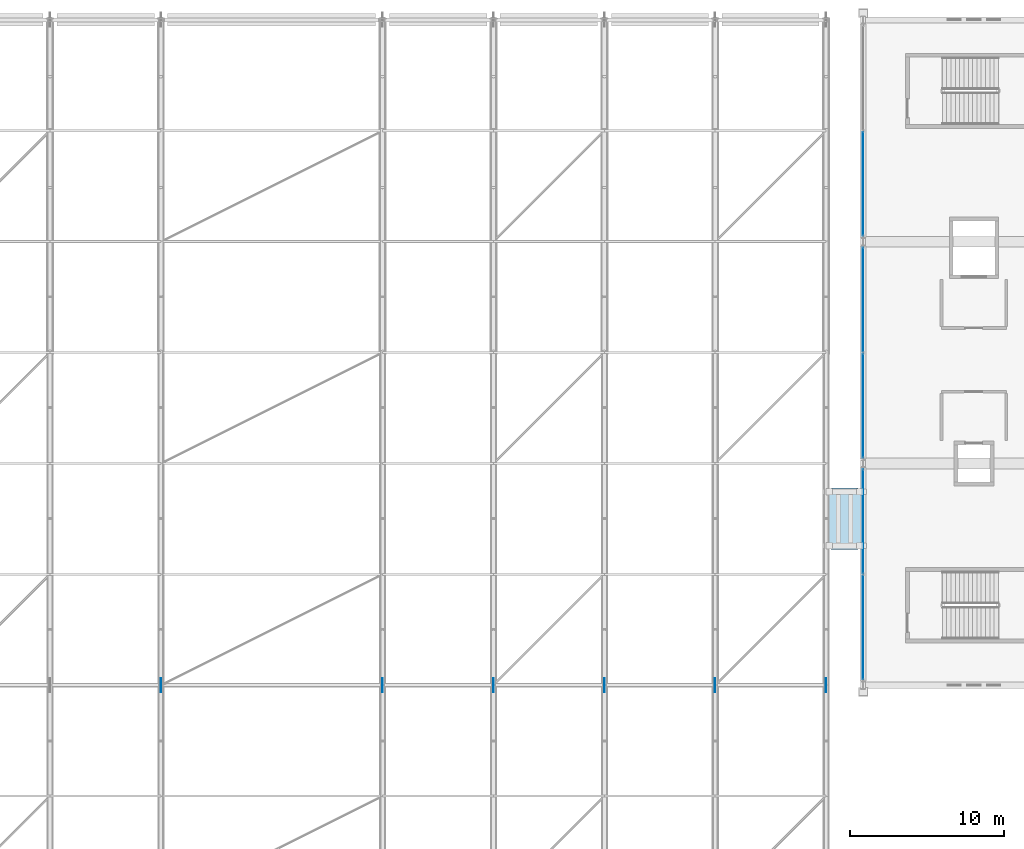
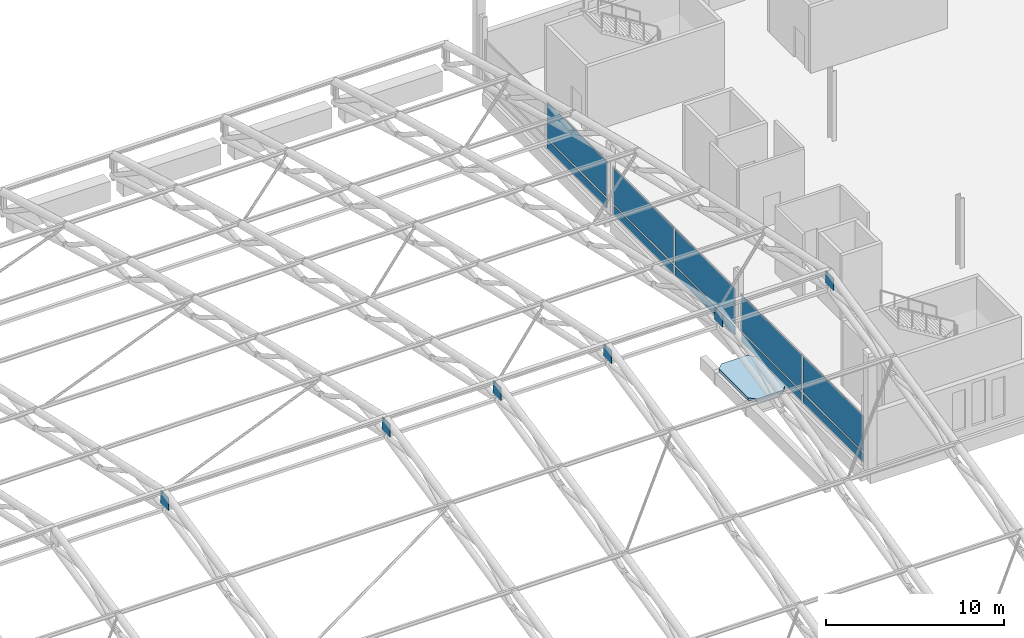
# One storey, part 116 of 193: 16 plates, 1 slab, 3 elements without a shape of their own.
"""IFC4 building model written with IfcOpenShell, lengths in metres."""

from ifc_helpers import new_model, si_unit, direction, frame, origin, origin_2d, place, context, subcontext, project, spatial, polyline, rectangle, outline, extrude, material, layer, layer_set, type_object, element, aggregate, save


model = new_model("IFC4")

# Units and contexts
model_context = context("Model", 3, precision=1e-05, world=origin(), true_north=direction((0.0, 1.0)))
body_context = subcontext(model_context, "Body", "Model", "MODEL_VIEW")
ifc_project = project(units=[si_unit("LENGTHUNIT", "METRE"), si_unit("AREAUNIT", "SQUARE_METRE"), si_unit("VOLUMEUNIT", "CUBIC_METRE"), si_unit("PLANEANGLEUNIT", "RADIAN"), si_unit("MASSUNIT", "GRAM", prefix="KILO")], contexts=[model_context])

# Site, building, storey
site_placement = place(None, origin())
site = spatial("IfcSite", under=ifc_project, at=site_placement, CompositionType="ELEMENT")
building_placement = place(site_placement, origin())
building = spatial("IfcBuilding", under=site, at=building_placement, Name="Cendralis Lancet Convention Centre", CompositionType="ELEMENT")
storey_placement = place(building_placement, frame((0.0, 0.0, 10.199951171875)))
storey = spatial("IfcBuildingStorey", under=building, at=storey_placement, Name="L02", CompositionType="ELEMENT", Elevation=10.199951171875)

# Curtain wall, plates
ifc_material_1 = material(Name="Anodised bronze architectural aluminium", Category="aluminium")
curtain_wall_type = type_object("IfcCurtainWallType", Name="ARC-CW-BL01", PredefinedType="USERDEFINED", material=ifc_material_1)
curtain_wall_1_placement = place(storey_placement, origin())
curtain_wall_1 = element("IfcCurtainWall", 1, at=curtain_wall_1_placement, inside=storey, type_object=curtain_wall_type, Name="L02 Curtain Wall CW-BL1 #157", ObjectType="CURTAIN WALL", PredefinedType="USERDEFINED")
ifc_material_2 = material(Name="Double-glazed low-E solar-control glass", Category="glass")
ifc_layer_1 = layer(ifc_material_2, 0.035888671875, Name="Double-glazed low-E solar-control glass")
ifc_layer_set_1 = layer_set([ifc_layer_1], Name="Double-glazed low-E solar-control glass")
plate_type_1 = type_object("IfcPlateType", Name="ARC-PL-GL03", PredefinedType="CURTAIN_PANEL", material=ifc_layer_set_1)
plate_1_placement = place(storey_placement, frame((124.800048828125, 97.35009765625, 0.801513671875), z_axis=(0.0, 0.0, 1.0), x_axis=(0.0, 1.0, 0.0)))
plate_1 = element("IfcPlate", 2, at=plate_1_placement, type_object=plate_type_1, Name="Vision Glass Panel CW2-CW-BL1-L02-157-PG0", PredefinedType="CURTAIN_PANEL", context=body_context, shape_type="SweptSolid", body=[
    extrude(rectangle(XDim=6.739990234375, YDim=0.035888671875, at=origin_2d()), origin(), (0.0, 0.0, 1.0), 2.45361328125),
])
plate_2_placement = place(storey_placement, frame((124.800048828125, 104.25, 0.801513671875), z_axis=(0.0, 0.0, 1.0), x_axis=(0.0, 1.0, 0.0)))
plate_2 = element("IfcPlate", 3, at=plate_2_placement, type_object=plate_type_1, Name="Vision Glass Panel CW2-CW-BL1-L02-157-PG1", PredefinedType="CURTAIN_PANEL", context=body_context, shape_type="SweptSolid", body=[
    extrude(rectangle(XDim=6.739990234375, YDim=0.035888671875, at=origin_2d()), origin(), (0.0, 0.0, 1.0), 2.45361328125),
])

curtain_wall_2_placement = place(storey_placement, origin())
curtain_wall_2 = element("IfcCurtainWall", 4, at=curtain_wall_2_placement, inside=storey, type_object=curtain_wall_type, Name="L02 Curtain Wall CW-BL1 #158", ObjectType="CURTAIN WALL", PredefinedType="USERDEFINED")
plate_3_placement = place(storey_placement, frame((124.800048828125, 111.75, 0.801513671875), z_axis=(0.0, 0.0, 1.0), x_axis=(0.0, 1.0, 0.0)))
plate_3 = element("IfcPlate", 5, at=plate_3_placement, type_object=plate_type_1, Name="Vision Glass Panel CW2-CW-BL1-L02-158-PG0", PredefinedType="CURTAIN_PANEL", context=body_context, shape_type="SweptSolid", body=[
    extrude(rectangle(XDim=6.739990234375, YDim=0.035888671875, at=origin_2d()), origin(), (0.0, 0.0, 1.0), 2.45361328125),
])
plate_4_placement = place(storey_placement, frame((124.800048828125, 118.64990234375, 0.801513671875), z_axis=(0.0, 0.0, 1.0), x_axis=(0.0, 1.0, 0.0)))
plate_4 = element("IfcPlate", 6, at=plate_4_placement, type_object=plate_type_1, Name="Vision Glass Panel CW2-CW-BL1-L02-158-PG1", PredefinedType="CURTAIN_PANEL", context=body_context, shape_type="SweptSolid", body=[
    extrude(rectangle(XDim=6.739990234375, YDim=0.035888671875, at=origin_2d()), origin(), (0.0, 0.0, 1.0), 2.45361328125),
])

# Curtain wall, plate
curtain_wall_3_placement = place(storey_placement, origin())
curtain_wall_3 = element("IfcCurtainWall", 7, at=curtain_wall_3_placement, inside=storey, type_object=curtain_wall_type, Name="L02 Curtain Wall CW-BL1 #159", ObjectType="CURTAIN WALL", PredefinedType="USERDEFINED")
plate_5_placement = place(storey_placement, frame((124.800048828125, 126.14990234375, 0.801513671875), z_axis=(0.0, 0.0, 1.0), x_axis=(0.0, 1.0, 0.0)))
plate_5 = element("IfcPlate", 8, at=plate_5_placement, type_object=plate_type_1, Name="Vision Glass Panel CW2-CW-BL1-L02-159-PG0", PredefinedType="CURTAIN_PANEL", context=body_context, shape_type="SweptSolid", body=[
    extrude(rectangle(XDim=6.739990234375, YDim=0.035888671875, at=origin_2d()), origin(), (0.0, 0.0, 1.0), 2.45361328125),
])

# Plate
ifc_material_3 = material(Name="Insulated ceramic-fritted spandrel glass", Category="glass")
ifc_layer_2 = layer(ifc_material_3, 0.044921875, Name="Insulated ceramic-fritted spandrel glass")
ifc_layer_set_2 = layer_set([ifc_layer_2], Name="Insulated ceramic-fritted spandrel glass")
plate_type_2 = type_object("IfcPlateType", Name="ARC-PL-SP01", PredefinedType="CURTAIN_PANEL", material=ifc_layer_set_2)
plate_6_placement = place(storey_placement, frame((124.800048828125, 97.35009765625, 0.06982421875), z_axis=(0.0, 0.0, 1.0), x_axis=(0.0, 1.0, 0.0)))
plate_6 = element("IfcPlate", 9, at=plate_6_placement, type_object=plate_type_2, Name="Spandrel Panel CW2-CW-BL1-L02-157-PS0", PredefinedType="CURTAIN_PANEL", context=body_context, shape_type="SweptSolid", body=[
    extrude(rectangle(XDim=6.739990234375, YDim=0.044921875, at=origin_2d()), origin(), (0.0, 0.0, 1.0), 0.591552734375),
])

plate_7_placement = place(storey_placement, frame((124.800048828125, 104.25, 0.06982421875), z_axis=(0.0, 0.0, 1.0), x_axis=(0.0, 1.0, 0.0)))
plate_7 = element("IfcPlate", 10, at=plate_7_placement, type_object=plate_type_2, Name="Spandrel Panel CW2-CW-BL1-L02-157-PS1", PredefinedType="CURTAIN_PANEL", context=body_context, shape_type="SweptSolid", body=[
    extrude(rectangle(XDim=6.739990234375, YDim=0.044921875, at=origin_2d()), origin(), (0.0, 0.0, 1.0), 0.591552734375),
])

aggregate(curtain_wall_1, [plate_6, plate_1, plate_7, plate_2])

plate_8_placement = place(storey_placement, frame((124.800048828125, 111.75, 0.06982421875), z_axis=(0.0, 0.0, 1.0), x_axis=(0.0, 1.0, 0.0)))
plate_8 = element("IfcPlate", 11, at=plate_8_placement, type_object=plate_type_2, Name="Spandrel Panel CW2-CW-BL1-L02-158-PS0", PredefinedType="CURTAIN_PANEL", context=body_context, shape_type="SweptSolid", body=[
    extrude(rectangle(XDim=6.739990234375, YDim=0.044921875, at=origin_2d()), origin(), (0.0, 0.0, 1.0), 0.591552734375),
])

plate_9_placement = place(storey_placement, frame((124.800048828125, 118.64990234375, 0.06982421875), z_axis=(0.0, 0.0, 1.0), x_axis=(0.0, 1.0, 0.0)))
plate_9 = element("IfcPlate", 12, at=plate_9_placement, type_object=plate_type_2, Name="Spandrel Panel CW2-CW-BL1-L02-158-PS1", PredefinedType="CURTAIN_PANEL", context=body_context, shape_type="SweptSolid", body=[
    extrude(rectangle(XDim=6.739990234375, YDim=0.044921875, at=origin_2d()), origin(), (0.0, 0.0, 1.0), 0.591552734375),
])

aggregate(curtain_wall_2, [plate_8, plate_3, plate_9, plate_4])

plate_10_placement = place(storey_placement, frame((124.800048828125, 126.14990234375, 0.06982421875), z_axis=(0.0, 0.0, 1.0), x_axis=(0.0, 1.0, 0.0)))
plate_10 = element("IfcPlate", 13, at=plate_10_placement, type_object=plate_type_2, Name="Spandrel Panel CW2-CW-BL1-L02-159-PS0", PredefinedType="CURTAIN_PANEL", context=body_context, shape_type="SweptSolid", body=[
    extrude(rectangle(XDim=6.739990234375, YDim=0.044921875, at=origin_2d()), origin(), (0.0, 0.0, 1.0), 0.591552734375),
])

aggregate(curtain_wall_3, [plate_10, plate_5])

# Plates
ifc_material_4 = material(Name="Steel S355", Category="steel")
ifc_layer_3 = layer(ifc_material_4, 0.031982421875, Name="Steel S355")
ifc_layer_set_3 = layer_set([ifc_layer_3], Name="Steel S355")
plate_type_3 = type_object("IfcPlateType", Name="STR-PL-GP32", PredefinedType="USERDEFINED", material=ifc_layer_set_3)
plate_11_placement = place(storey_placement, frame((122.39990234375, 93.60009765625, 13.162109375), z_axis=(0.0, 0.0, 1.0), x_axis=(0.0, 1.0, 0.0)))
element("IfcPlate", 14, at=plate_11_placement, inside=storey, type_object=plate_type_3, Name="Truss Gusset Plate GP-32 AT-V1-15-APEX", ObjectType="GUSSET PLATE", PredefinedType="USERDEFINED", context=body_context, shape_type="SweptSolid", body=[
    extrude(rectangle(XDim=0.89990234375, YDim=0.031982421875, at=origin_2d()), origin(), (0.0, 0.0, 1.0), 0.89990234375),
])
ifc_layer_4 = layer(ifc_material_4, 0.031982421875, Name="Steel S355")
ifc_layer_set_4 = layer_set([ifc_layer_4], Name="Steel S355")
plate_type_4 = type_object("IfcPlateType", Name="STR-PL-GP32-INT", PredefinedType="USERDEFINED", material=ifc_layer_set_4)
for number, where, z_axis, x_axis, name in (
    (15, (79.199951171875, 93.60009765625, 13.162109375), (0.0, 0.0, 1.0), (0.0, 1.0, 0.0), "Truss Gusset Plate GP-32 AT-V1-10-APEX"),
    (16, (93.60009765625, 93.60009765625, 13.162109375), (0.0, 0.0, 1.0), (0.0, 1.0, 0.0), "Truss Gusset Plate GP-32 AT-V1-11-APEX"),
    (17, (100.800048828125, 93.60009765625, 13.162109375), (0.0, 0.0, 1.0), (0.0, 1.0, 0.0), "Truss Gusset Plate GP-32 AT-V1-12-APEX"),
    (18, (108.0, 93.60009765625, 13.162109375), (0.0, 0.0, 1.0), (0.0, 1.0, 0.0), "Truss Gusset Plate GP-32 AT-V1-13-APEX"),
    (19, (115.199951171875, 93.60009765625, 13.162109375), (0.0, 0.0, 1.0), (0.0, 1.0, 0.0), "Truss Gusset Plate GP-32 AT-V1-14-APEX"),
):
    element("IfcPlate", number, at=place(storey_placement, frame(where, z_axis=z_axis, x_axis=x_axis)), inside=storey, type_object=plate_type_4, Name=name, ObjectType="GUSSET PLATE", PredefinedType="USERDEFINED", context=body_context, shape_type="SweptSolid", body=[
        extrude(rectangle(XDim=0.89990234375, YDim=0.031982421875, at=origin_2d()), origin(), (0.0, 0.0, 1.0), 0.89990234375),
    ])

# Slab
ifc_material_5 = material(Name="Concrete G35 (C35/45)", Category="concrete")
ifc_layer_5 = layer(ifc_material_5, 0.199951171875, Name="Concrete G35 (C35/45)")
ifc_layer_set_5 = layer_set([ifc_layer_5], Name="Concrete G35 (C35/45)")
slab_type = type_object("IfcSlabType", Name="STR-SL-RF20", PredefinedType="ROOF", material=ifc_layer_set_5)
slab_placement = place(storey_placement, frame((0.0, 0.0, -0.199951171875)))
element("IfcSlab", 20, at=slab_placement, inside=storey, type_object=slab_type, Name="Exhibition-Ballroom Link Bridge Roof Slab L02", PredefinedType="ROOF", context=body_context, shape_type="SweptSolid", body=[
    extrude(outline(polyline([(122.75, 102.39990234375), (124.449951171875, 102.39990234375), (124.800048828125, 102.75), (124.800048828125, 106.050048828125), (124.449951171875, 106.39990234375), (122.75, 106.39990234375), (122.39990234375, 106.050048828125), (122.39990234375, 102.75), (122.75, 102.39990234375)])), origin(), (0.0, 0.0, 1.0), 0.199951171875),
])

save(model, "model.ifc")
